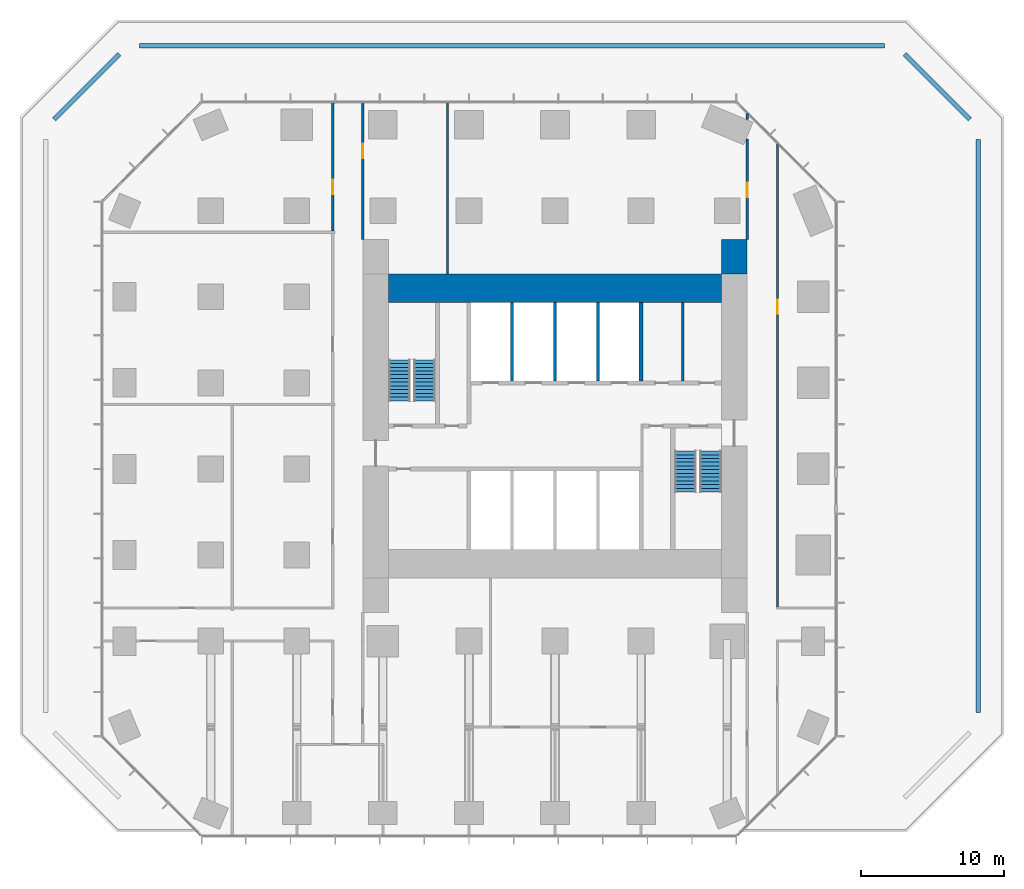
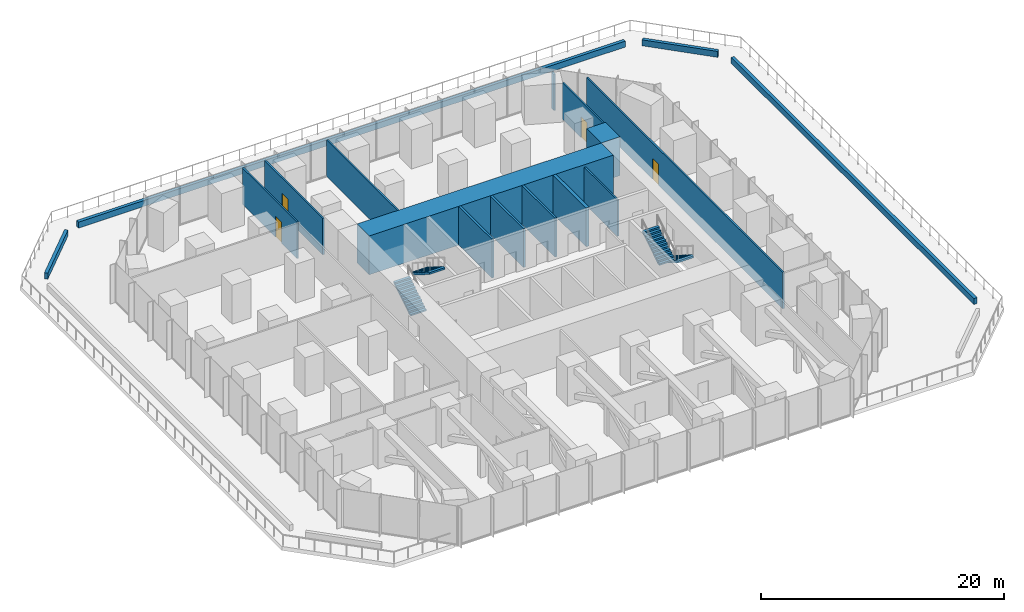
# One storey, part 10 of 11: 17 walls, 4 doors, 4 stair flights, 4 openings, 2 elements without a shape of their own.
"""IFC4 building model written with IfcOpenShell, lengths in metres."""

from ifc_helpers import new_model, si_unit, direction, frame, frame_2d, origin, place, context, subcontext, project, spatial, polyline, rectangle, outline, extrude, material, layer, layer_set, type_object, element, fill, aggregate, save


model = new_model("IFC4")

# Units and contexts
model_context = context("Model", 3, precision=1e-05, world=origin(), true_north=direction((0.0, 1.0)))
body_context = subcontext(model_context, "Body", "Model", "MODEL_VIEW")
ifc_project = project(units=[si_unit("LENGTHUNIT", "METRE"), si_unit("AREAUNIT", "SQUARE_METRE"), si_unit("VOLUMEUNIT", "CUBIC_METRE"), si_unit("PLANEANGLEUNIT", "RADIAN"), si_unit("MASSUNIT", "GRAM", prefix="KILO")], contexts=[model_context])

# Site, building, storey
site_placement = place(None, origin())
site = spatial("IfcSite", under=ifc_project, at=site_placement, CompositionType="ELEMENT")
building_placement = place(site_placement, origin())
building = spatial("IfcBuilding", under=site, at=building_placement, Name="Highveld Stack Headquarters", CompositionType="ELEMENT")
storey_placement = place(building_placement, frame((0.0, 0.0, 18.199951171875)))
storey = spatial("IfcBuildingStorey", under=building, at=storey_placement, Name="L03", CompositionType="ELEMENT", Elevation=18.199951171875)

# Walls
ifc_material_1 = material(Name="Concrete C60/75", Category="concrete")
ifc_layer_1 = layer(ifc_material_1, 2.0)
ifc_layer_set_1 = layer_set([ifc_layer_1], Name="Concrete C60/75")
wall_type_1 = type_object("IfcWallType", Name="CORE WALL 2000 C60/75", PredefinedType="SHEAR", material=ifc_layer_set_1)
wall_1_placement = place(storey_placement, frame((-5.60009765625, 12.60009765625, 0.0), z_axis=(0.0, 0.0, 1.0), x_axis=(1.0, 0.0, 0.0)))
element("IfcWall", 1, at=wall_1_placement, inside=storey, type_object=wall_type_1, Name="Core wall N L03", PredefinedType="SHEAR", context=body_context, shape_type="SweptSolid", body=[
    extrude(rectangle(XDim=23.2001953125, YDim=2.0, at=frame_2d((11.60009765625, 0.0))), origin(), (0.0, 0.0, 1.0), 3.900146484375),
])
ifc_material_2 = material(Name="Concrete C60/75", Category="concrete")
ifc_layer_2 = layer(ifc_material_2, 0.300048828125)
ifc_layer_set_2 = layer_set([ifc_layer_2], Name="Concrete C60/75")
wall_type_2 = type_object("IfcWallType", Name="CORE WALL 300 C60/75", PredefinedType="SHEAR", material=ifc_layer_set_2)
wall_2_placement = place(storey_placement, frame((12.0, 6.14990234375, 0.0), z_axis=(0.0, 0.0, 1.0), x_axis=(0.0, 1.0, 0.0)))
element("IfcWall", 2, at=wall_2_placement, inside=storey, type_object=wall_type_2, Name="Core wall I-X12N L03", PredefinedType="SHEAR", context=body_context, shape_type="SweptSolid", body=[
    extrude(rectangle(XDim=5.4501953125, YDim=0.300048828125, at=frame_2d((2.72509765625, 0.0))), origin(), (0.0, 0.0, 1.0), 3.900146484375),
])
ifc_material_3 = material(Name="Concrete C60/75", Category="concrete")
ifc_layer_3 = layer(ifc_material_3, 1.800048828125)
ifc_layer_set_3 = layer_set([ifc_layer_3], Name="Concrete C60/75")
wall_type_3 = type_object("IfcWallType", Name="CORE WING WALL 1800 C60/75", PredefinedType="SHEAR", material=ifc_layer_set_3)
wall_3_placement = place(storey_placement, frame((18.5, 13.60009765625, 0.0), z_axis=(0.0, 0.0, 1.0), x_axis=(0.0, 1.0, 0.0)))
element("IfcWall", 3, at=wall_3_placement, inside=storey, type_object=wall_type_3, Name="Core wing wall EN L03", PredefinedType="SHEAR", context=body_context, shape_type="SweptSolid", body=[
    extrude(rectangle(XDim=2.39990234375, YDim=1.800048828125, at=frame_2d((1.199951171875, 0.0))), origin(), (0.0, 0.0, 1.0), 3.900146484375),
])
ifc_material_4 = material(Name="Concrete blockwork, fair-faced", Category="masonry")
ifc_layer_4 = layer(ifc_material_4, 0.199951171875)
ifc_layer_set_4 = layer_set([ifc_layer_4], Name="Concrete blockwork, fair-faced")
wall_type_4 = type_object("IfcWallType", Name="LIFT SHAFT ENCLOSURE WALL 200 BLOCKWORK", PredefinedType="SOLIDWALL", material=ifc_layer_set_4)
for number, where, z_axis, x_axis, name in (
    (4, (3.0, 6.14990234375, 0.0), (0.0, 0.0, 1.0), (0.0, 1.0, 0.0), "Lift shaft wall L03"),
    (5, (6.0, 6.14990234375, 0.0), (0.0, 0.0, 1.0), (0.0, 1.0, 0.0), "Lift shaft wall L03"),
    (6, (9.0, 6.14990234375, 0.0), (0.0, 0.0, 1.0), (0.0, 1.0, 0.0), "Lift shaft wall L03"),
):
    element("IfcWall", number, at=place(storey_placement, frame(where, z_axis=z_axis, x_axis=x_axis)), inside=storey, type_object=wall_type_4, Name=name, PredefinedType="SOLIDWALL", context=body_context, shape_type="SweptSolid", body=[
        extrude(rectangle(XDim=5.4501953125, YDim=0.199951171875, at=frame_2d((2.72509765625, 0.0))), origin(), (0.0, 0.0, 1.0), 3.900146484375),
    ])

# Wall, opening, door
ifc_material_5 = material(Name="Gypsum plasterboard on steel studs", Category="steel")
ifc_layer_5 = layer(ifc_material_5, 0.14990234375)
ifc_layer_set_5 = layer_set([ifc_layer_5], Name="Gypsum plasterboard on steel studs")
wall_type_5 = type_object("IfcWallType", Name="PARTITION 150 PLASTERBOARD", PredefinedType="PARTITIONING", material=ifc_layer_set_5)
wall_4_placement = place(storey_placement, frame((-9.5, 16.574951171875, 0.0), z_axis=(0.0, 0.0, 1.0), x_axis=(0.0, 1.0, 0.0)))
wall_4 = element("IfcWall", 7, at=wall_4_placement, inside=storey, type_object=wall_type_5, Name="Partition office neighbourhood L03", PredefinedType="PARTITIONING", context=body_context, shape_type="SweptSolid", body=[
    extrude(rectangle(XDim=9.025146484375, YDim=0.14990234375, at=frame_2d((4.5126953125, 0.0))), origin(), (0.0, 0.0, 1.0), 3.650146484375),
])
opening_1_placement = place(wall_4_placement, frame((2.574951171875, 0.0, 0.0)))
opening_1 = element("IfcOpeningElement", 8, at=opening_1_placement, cuts=wall_4, Name="Opening L03-22", PredefinedType="OPENING", context=body_context, shape_type="SweptSolid", body=[
    extrude(rectangle(XDim=1.0, YDim=2.10009765625, at=frame_2d((0.5, 1.050048828125))), frame((0.0, 0.0849609375, 0.0), z_axis=(0.0, -1.0, 0.0), x_axis=(1.0, 0.0, 0.0)), (0.0, 0.0, 1.0), 0.169921875),
])
ifc_material_6 = material(Name="Timber door, oiled ash", Category="wood")
door_type = type_object("IfcDoorType", Name="ROOM DOOR D6 1000x2100", OperationType="SINGLE_SWING_LEFT", PredefinedType="DOOR", material=ifc_material_6)
door_1_placement = place(opening_1_placement, origin())
door_1 = element("IfcDoor", 9, at=door_1_placement, inside=storey, type_object=door_type, Name="Office neighbourhood door L03", OperationType="SINGLE_SWING_LEFT", OverallHeight=2.10009765625, OverallWidth=1.0, PredefinedType="DOOR", context=body_context, shape_type="SweptSolid", body=[
    extrude(rectangle(XDim=1.0, YDim=2.10009765625, at=frame_2d((0.5, 1.050048828125))), frame((0.0, 0.02490234375, 0.0), z_axis=(0.0, -1.0, 0.0), x_axis=(1.0, 0.0, 0.0)), (0.0, 0.0, 1.0), 0.050048828125),
])
fill(opening_1, door_1)

wall_5_placement = place(storey_placement, frame((-7.39990234375, 16.0, 0.0), z_axis=(0.0, 0.0, 1.0), x_axis=(0.0, 1.0, 0.0)))
wall_5 = element("IfcWall", 10, at=wall_5_placement, inside=storey, type_object=wall_type_5, Name="Partition office neighbourhood L03", PredefinedType="PARTITIONING", context=body_context, shape_type="SweptSolid", body=[
    extrude(rectangle(XDim=9.60009765625, YDim=0.14990234375, at=frame_2d((4.800048828125, 0.0))), origin(), (0.0, 0.0, 1.0), 3.650146484375),
])
opening_2_placement = place(wall_5_placement, frame((5.675048828125, 0.0, 0.0)))
opening_2 = element("IfcOpeningElement", 11, at=opening_2_placement, cuts=wall_5, Name="Opening L03-21", PredefinedType="OPENING", context=body_context, shape_type="SweptSolid", body=[
    extrude(rectangle(XDim=1.0, YDim=2.10009765625, at=frame_2d((0.5, 1.050048828125))), frame((0.0, 0.0849609375, 0.0), z_axis=(0.0, -1.0, 0.0), x_axis=(1.0, 0.0, 0.0)), (0.0, 0.0, 1.0), 0.169921875),
])
door_2_placement = place(opening_2_placement, origin())
door_2 = element("IfcDoor", 12, at=door_2_placement, inside=storey, type_object=door_type, Name="Office neighbourhood door L03", OperationType="SINGLE_SWING_RIGHT", OverallHeight=2.10009765625, OverallWidth=1.0, PredefinedType="DOOR", context=body_context, shape_type="SweptSolid", body=[
    extrude(rectangle(XDim=1.0, YDim=2.10009765625, at=frame_2d((0.5, 1.050048828125))), frame((0.0, 0.02490234375, 0.0), z_axis=(0.0, -1.0, 0.0), x_axis=(1.0, 0.0, 0.0)), (0.0, 0.0, 1.0), 0.050048828125),
])
fill(opening_2, door_2)

# Wall
wall_6_placement = place(storey_placement, frame((-1.5, 13.60009765625, 0.0), z_axis=(0.0, 0.0, 1.0), x_axis=(0.0, 1.0, 0.0)))
element("IfcWall", 13, at=wall_6_placement, inside=storey, type_object=wall_type_5, Name="Partition office neighbourhood L03", PredefinedType="PARTITIONING", context=body_context, shape_type="SweptSolid", body=[
    extrude(rectangle(XDim=12.0, YDim=0.14990234375, at=frame_2d((6.0, 0.0))), origin(), (0.0, 0.0, 1.0), 3.650146484375),
])

# Wall, opening, door
wall_7_placement = place(storey_placement, frame((19.39990234375, 16.0, 0.0), z_axis=(0.0, 0.0, 1.0), x_axis=(0.0, 1.0, 0.0)))
wall_7 = element("IfcWall", 14, at=wall_7_placement, inside=storey, type_object=wall_type_5, Name="Partition office neighbourhood L03", PredefinedType="PARTITIONING", context=body_context, shape_type="SweptSolid", body=[
    extrude(rectangle(XDim=7.017822265625, YDim=0.14990234375, at=frame_2d((3.5087890625, 0.0))), origin(), (0.0, 0.0, 1.0), 3.650146484375),
])
opening_3_placement = place(wall_7_placement, frame((2.949951171875, 0.0, 0.0)))
opening_3 = element("IfcOpeningElement", 15, at=opening_3_placement, cuts=wall_7, Name="Opening L03-25", PredefinedType="OPENING", context=body_context, shape_type="SweptSolid", body=[
    extrude(rectangle(XDim=1.0, YDim=2.10009765625, at=frame_2d((0.5, 1.050048828125))), frame((0.0, 0.0849609375, 0.0), z_axis=(0.0, -1.0, 0.0), x_axis=(1.0, 0.0, 0.0)), (0.0, 0.0, 1.0), 0.169921875),
])
door_3_placement = place(opening_3_placement, origin())
door_3 = element("IfcDoor", 16, at=door_3_placement, inside=storey, type_object=door_type, Name="Office neighbourhood door L03", OperationType="SINGLE_SWING_LEFT", OverallHeight=2.10009765625, OverallWidth=1.0, PredefinedType="DOOR", context=body_context, shape_type="SweptSolid", body=[
    extrude(rectangle(XDim=1.0, YDim=2.10009765625, at=frame_2d((0.5, 1.050048828125))), frame((0.0, 0.02490234375, 0.0), z_axis=(0.0, -1.0, 0.0), x_axis=(1.0, 0.0, 0.0)), (0.0, 0.0, 1.0), 0.050048828125),
])
fill(opening_3, door_3)

# Wall
wall_8_placement = place(storey_placement, frame((19.39990234375, 24.37109375, 0.0), z_axis=(0.0, 0.0, 1.0), x_axis=(0.0, 1.0, 0.0)))
element("IfcWall", 17, at=wall_8_placement, inside=storey, type_object=wall_type_5, Name="Partition office neighbourhood L03", PredefinedType="PARTITIONING", context=body_context, shape_type="SweptSolid", body=[
    extrude(rectangle(XDim=0.39990234375, YDim=0.14990234375, at=frame_2d((0.199951171875, 0.0))), origin(), (0.0, 0.0, 1.0), 3.650146484375),
])

# Wall, opening, door
wall_9_placement = place(storey_placement, frame((21.5, -9.625, 0.0), z_axis=(0.0, 0.0, 1.0), x_axis=(0.0, 1.0, 0.0)))
wall_9 = element("IfcWall", 18, at=wall_9_placement, inside=storey, type_object=wall_type_5, Name="Partition office neighbourhood L03", PredefinedType="PARTITIONING", context=body_context, shape_type="SweptSolid", body=[
    extrude(rectangle(XDim=32.2958984375, YDim=0.14990234375, at=frame_2d((16.14794921875, 0.0))), origin(), (0.0, 0.0, 1.0), 3.650146484375),
])
opening_4_placement = place(wall_9_placement, frame((20.43408203125, 0.0, 0.0)))
opening_4 = element("IfcOpeningElement", 19, at=opening_4_placement, cuts=wall_9, Name="Opening L03-19", PredefinedType="OPENING", context=body_context, shape_type="SweptSolid", body=[
    extrude(rectangle(XDim=1.0, YDim=2.10009765625, at=frame_2d((0.5, 1.050048828125))), frame((0.0, 0.0849609375, 0.0), z_axis=(0.0, -1.0, 0.0), x_axis=(1.0, 0.0, 0.0)), (0.0, 0.0, 1.0), 0.169921875),
])
door_4_placement = place(opening_4_placement, origin())
door_4 = element("IfcDoor", 20, at=door_4_placement, inside=storey, type_object=door_type, Name="Office neighbourhood door L03", OperationType="SINGLE_SWING_RIGHT", OverallHeight=2.10009765625, OverallWidth=1.0, PredefinedType="DOOR", context=body_context, shape_type="SweptSolid", body=[
    extrude(rectangle(XDim=1.0, YDim=2.10009765625, at=frame_2d((0.5, 1.050048828125))), frame((0.0, 0.02490234375, 0.0), z_axis=(0.0, -1.0, 0.0), x_axis=(1.0, 0.0, 0.0)), (0.0, 0.0, 1.0), 0.050048828125),
])
fill(opening_4, door_4)

# Walls
ifc_material_7 = material(Name="Concrete C40/50, precast planter", Category="concrete")
ifc_layer_6 = layer(ifc_material_7, 0.300048828125)
ifc_layer_set_6 = layer_set([ifc_layer_6], Name="Concrete C40/50, precast planter")
wall_type_6 = type_object("IfcWallType", Name="PLANTER WALL PL1 300", PredefinedType="USERDEFINED", material=ifc_layer_set_6)
wall_10_placement = place(storey_placement, frame((-28.922607421875, 24.370361328125, 0.0), z_axis=(0.0, 0.0, 1.0), x_axis=(0.707106781187, 0.707106781187, 0.0)))
element("IfcWall", 21, at=wall_10_placement, inside=storey, type_object=wall_type_6, Name="Planter L03 1.4", ObjectType="PLANTER", PredefinedType="USERDEFINED", context=body_context, shape_type="SweptSolid", body=[
    extrude(rectangle(XDim=6.437744140625, YDim=0.300048828125, at=frame_2d((3.21875, 0.0))), origin(), (0.0, 0.0, 1.0), 0.60009765625),
])
wall_11_placement = place(storey_placement, frame((-22.976318359375, 29.5, 0.0), z_axis=(0.0, 0.0, 1.0), x_axis=(1.0, 0.0, 0.0)))
element("IfcWall", 22, at=wall_11_placement, inside=storey, type_object=wall_type_6, Name="Planter L03 1.5", ObjectType="PLANTER", PredefinedType="USERDEFINED", context=body_context, shape_type="SweptSolid", body=[
    extrude(rectangle(XDim=51.95263671875, YDim=0.300048828125, at=frame_2d((25.976318359375, 0.0))), origin(), (0.0, 0.0, 1.0), 0.60009765625),
])
wall_12_placement = place(storey_placement, frame((30.370361328125, 28.922607421875, 0.0), z_axis=(0.0, 0.0, 1.0), x_axis=(0.707106781187, -0.707106781187, 0.0)))
element("IfcWall", 23, at=wall_12_placement, inside=storey, type_object=wall_type_6, Name="Planter L03 1.6", ObjectType="PLANTER", PredefinedType="USERDEFINED", context=body_context, shape_type="SweptSolid", body=[
    extrude(rectangle(XDim=6.437744140625, YDim=0.300048828125, at=frame_2d((3.21875, 0.0))), origin(), (0.0, 0.0, 1.0), 0.60009765625),
])
wall_13_placement = place(storey_placement, frame((35.5, 22.976318359375, 0.0), z_axis=(0.0, 0.0, 1.0), x_axis=(0.0, -1.0, 0.0)))
element("IfcWall", 24, at=wall_13_placement, inside=storey, type_object=wall_type_6, Name="Planter L03 1.7", ObjectType="PLANTER", PredefinedType="USERDEFINED", context=body_context, shape_type="SweptSolid", body=[
    extrude(rectangle(XDim=39.95263671875, YDim=0.300048828125, at=frame_2d((19.976318359375, 0.0))), origin(), (0.0, 0.0, 1.0), 0.60009765625),
])
ifc_material_8 = material(Name="Concrete blockwork, tiled", Category="masonry")
ifc_layer_7 = layer(ifc_material_8, 0.14990234375)
ifc_layer_set_7 = layer_set([ifc_layer_7], Name="Concrete blockwork, tiled")
wall_type_7 = type_object("IfcWallType", Name="WC PARTITION 150", PredefinedType="PLUMBINGWALL", material=ifc_layer_set_7)
wall_14_placement = place(storey_placement, frame((14.89990234375, 6.14990234375, 0.0), z_axis=(0.0, 0.0, 1.0), x_axis=(0.0, 1.0, 0.0)))
element("IfcWall", 25, at=wall_14_placement, inside=storey, type_object=wall_type_7, Name="Toilet partition L03", PredefinedType="PLUMBINGWALL", context=body_context, shape_type="SweptSolid", body=[
    extrude(rectangle(XDim=5.4501953125, YDim=0.14990234375, at=frame_2d((2.72509765625, 0.0))), origin(), (0.0, 0.0, 1.0), 3.650146484375),
])

# Stair, stair flights
ifc_material_9 = material(Name="Concrete C40/50, precast", Category="concrete")
stair_type_1 = type_object("IfcStairType", Name="STAIR S1 HALF TURN 1500", PredefinedType="HALF_TURN_STAIR", material=ifc_material_9)
stair_1_placement = place(storey_placement, origin())
stair_1 = element("IfcStair", 26, at=stair_1_placement, inside=storey, type_object=stair_type_1, Name="Stair S1 L03", PredefinedType="HALF_TURN_STAIR")
ifc_material_10 = material(Name="Concrete C40/50, precast", Category="concrete")
stair_flight_type = type_object("IfcStairFlightType", Name="STAIR FLIGHT 1500 PRECAST", PredefinedType="STRAIGHT", material=ifc_material_10)
stair_flight_1_placement = place(storey_placement, frame((-4.85009765625, 4.75, 0.0), z_axis=(0.0, 0.0, 1.0), x_axis=(0.0, 1.0, 0.0)))
stair_flight_1 = element("IfcStairFlight", 27, at=stair_flight_1_placement, type_object=stair_flight_type, Name="S1 flight 1", NumberOfRisers=12, NumberOfTreads=11, PredefinedType="STRAIGHT", RiserHeight=0.1625, TreadLength=0.26, context=body_context, shape_type="SweptSolid", body=[
    extrude(outline(polyline([(0.0, 0.0), (0.0, 0.16259765625), (0.260009765625, 0.16259765625), (0.260009765625, 0.324951171875), (0.52001953125, 0.324951171875), (0.52001953125, 0.487548828125), (0.780029296875, 0.487548828125), (0.780029296875, 0.64990234375), (1.0400390625, 0.64990234375), (1.0400390625, 0.8125), (1.300048828125, 0.8125), (1.300048828125, 0.97509765625), (1.56005859375, 0.97509765625), (1.56005859375, 1.137451171875), (1.820068359375, 1.137451171875), (1.820068359375, 1.300048828125), (2.080078125, 1.300048828125), (2.080078125, 1.46240234375), (2.340087890625, 1.46240234375), (2.340087890625, 1.625), (2.60009765625, 1.625), (2.60009765625, 1.78759765625), (2.860107421875, 1.78759765625), (2.860107421875, 1.949951171875), (2.860107421875, 1.61083984375), (0.28271484375, 0.0), (0.0, 0.0)])), frame((0.0, 0.75, 0.0), z_axis=(0.0, -1.0, 0.0), x_axis=(1.0, 0.0, 0.0)), (0.0, 0.0, 1.0), 1.5),
])
stair_flight_2_placement = place(storey_placement, frame((-3.10009765625, 7.610107421875, 1.949951171875), z_axis=(0.0, 0.0, 1.0), x_axis=(0.0, -1.0, 0.0)))
stair_flight_2 = element("IfcStairFlight", 28, at=stair_flight_2_placement, type_object=stair_flight_type, Name="S1 flight 2", NumberOfRisers=12, NumberOfTreads=11, PredefinedType="STRAIGHT", RiserHeight=0.1625, TreadLength=0.26, context=body_context, shape_type="SweptSolid", body=[
    extrude(outline(polyline([(0.0, 0.0), (0.0, 0.16259765625), (0.260009765625, 0.16259765625), (0.260009765625, 0.324951171875), (0.52001953125, 0.324951171875), (0.52001953125, 0.487548828125), (0.780029296875, 0.487548828125), (0.780029296875, 0.64990234375), (1.0400390625, 0.64990234375), (1.0400390625, 0.8125), (1.300048828125, 0.8125), (1.300048828125, 0.97509765625), (1.56005859375, 0.97509765625), (1.56005859375, 1.137451171875), (1.820068359375, 1.137451171875), (1.820068359375, 1.300048828125), (2.080078125, 1.300048828125), (2.080078125, 1.46240234375), (2.340087890625, 1.46240234375), (2.340087890625, 1.625), (2.60009765625, 1.625), (2.60009765625, 1.78759765625), (2.860107421875, 1.78759765625), (2.860107421875, 1.949951171875), (2.860107421875, 1.61083984375), (0.28271484375, 0.0), (0.0, 0.0)])), frame((0.0, 0.75, 0.0), z_axis=(0.0, -1.0, 0.0), x_axis=(1.0, 0.0, 0.0)), (0.0, 0.0, 1.0), 1.5),
])
aggregate(stair_1, [stair_flight_1, stair_flight_2])

ifc_material_11 = material(Name="Concrete C40/50, precast", Category="concrete")
stair_type_2 = type_object("IfcStairType", Name="STAIR S2 HALF TURN 1500", PredefinedType="HALF_TURN_STAIR", material=ifc_material_11)
stair_2_placement = place(storey_placement, origin())
stair_2 = element("IfcStair", 29, at=stair_2_placement, inside=storey, type_object=stair_type_2, Name="Stair S2 L03", PredefinedType="HALF_TURN_STAIR")
stair_flight_3_placement = place(storey_placement, frame((16.85009765625, 1.25, 0.0), z_axis=(0.0, 0.0, 1.0), x_axis=(0.0, -1.0, 0.0)))
stair_flight_3 = element("IfcStairFlight", 30, at=stair_flight_3_placement, type_object=stair_flight_type, Name="S2 flight 1", NumberOfRisers=12, NumberOfTreads=11, PredefinedType="STRAIGHT", RiserHeight=0.1625, TreadLength=0.26, context=body_context, shape_type="SweptSolid", body=[
    extrude(outline(polyline([(0.0, 0.0), (0.0, 0.16259765625), (0.260009765625, 0.16259765625), (0.260009765625, 0.324951171875), (0.52001953125, 0.324951171875), (0.52001953125, 0.487548828125), (0.780029296875, 0.487548828125), (0.780029296875, 0.64990234375), (1.0400390625, 0.64990234375), (1.0400390625, 0.8125), (1.300048828125, 0.8125), (1.300048828125, 0.97509765625), (1.56005859375, 0.97509765625), (1.56005859375, 1.137451171875), (1.820068359375, 1.137451171875), (1.820068359375, 1.300048828125), (2.080078125, 1.300048828125), (2.080078125, 1.46240234375), (2.340087890625, 1.46240234375), (2.340087890625, 1.625), (2.60009765625, 1.625), (2.60009765625, 1.78759765625), (2.860107421875, 1.78759765625), (2.860107421875, 1.949951171875), (2.860107421875, 1.61083984375), (0.28271484375, 0.0), (0.0, 0.0)])), frame((0.0, 0.75, 0.0), z_axis=(0.0, -1.0, 0.0), x_axis=(1.0, 0.0, 0.0)), (0.0, 0.0, 1.0), 1.5),
])
stair_flight_4_placement = place(storey_placement, frame((15.10009765625, -1.610107421875, 1.949951171875), z_axis=(0.0, 0.0, 1.0), x_axis=(0.0, 1.0, 0.0)))
stair_flight_4 = element("IfcStairFlight", 31, at=stair_flight_4_placement, type_object=stair_flight_type, Name="S2 flight 2", NumberOfRisers=12, NumberOfTreads=11, PredefinedType="STRAIGHT", RiserHeight=0.1625, TreadLength=0.26, context=body_context, shape_type="SweptSolid", body=[
    extrude(outline(polyline([(0.0, 0.0), (0.0, 0.16259765625), (0.260009765625, 0.16259765625), (0.260009765625, 0.324951171875), (0.52001953125, 0.324951171875), (0.52001953125, 0.487548828125), (0.780029296875, 0.487548828125), (0.780029296875, 0.64990234375), (1.0400390625, 0.64990234375), (1.0400390625, 0.8125), (1.300048828125, 0.8125), (1.300048828125, 0.97509765625), (1.56005859375, 0.97509765625), (1.56005859375, 1.137451171875), (1.820068359375, 1.137451171875), (1.820068359375, 1.300048828125), (2.080078125, 1.300048828125), (2.080078125, 1.46240234375), (2.340087890625, 1.46240234375), (2.340087890625, 1.625), (2.60009765625, 1.625), (2.60009765625, 1.78759765625), (2.860107421875, 1.78759765625), (2.860107421875, 1.949951171875), (2.860107421875, 1.61083984375), (0.28271484375, 0.0), (0.0, 0.0)])), frame((0.0, 0.75, 0.0), z_axis=(0.0, -1.0, 0.0), x_axis=(1.0, 0.0, 0.0)), (0.0, 0.0, 1.0), 1.5),
])
aggregate(stair_2, [stair_flight_3, stair_flight_4])

save(model, "model.ifc")
